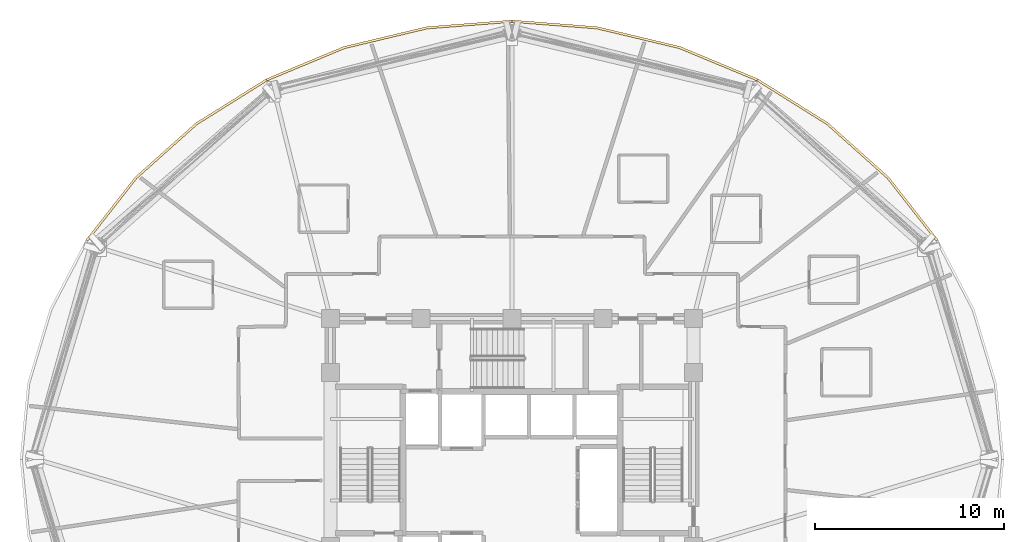
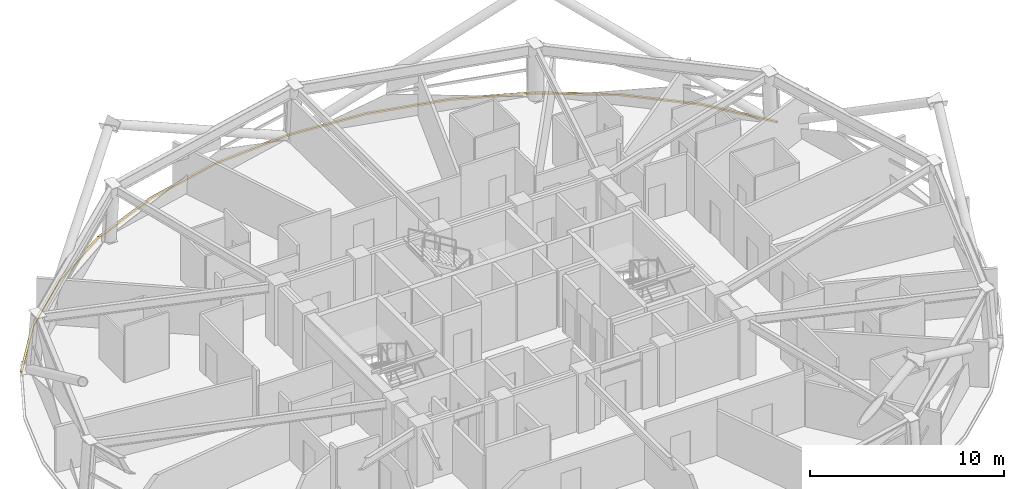
# One storey, part 13 of 13: 4 coverings.
"""IFC4 building model written with IfcOpenShell, lengths in metres."""

from ifc_helpers import new_model, si_unit, direction, frame, origin, place, context, subcontext, project, spatial, polyline, outline, extrude, material, layer, layer_set, type_object, element, save


model = new_model("IFC4")

# Units and contexts
model_context = context("Model", 3, precision=1e-05, world=origin(), true_north=direction((0.0, 1.0)))
body_context = subcontext(model_context, "Body", "Model", "MODEL_VIEW")
ifc_project = project(units=[si_unit("LENGTHUNIT", "METRE"), si_unit("AREAUNIT", "SQUARE_METRE"), si_unit("VOLUMEUNIT", "CUBIC_METRE"), si_unit("PLANEANGLEUNIT", "RADIAN"), si_unit("MASSUNIT", "GRAM", prefix="KILO")], contexts=[model_context])

# Site, building, storey
site_placement = place(None, origin())
site = spatial("IfcSite", under=ifc_project, at=site_placement, CompositionType="ELEMENT")
building_placement = place(site_placement, origin())
building = spatial("IfcBuilding", under=site, at=building_placement, Name="Vantalir Tower", CompositionType="ELEMENT")
storey_placement = place(building_placement, frame((0.0, 0.0, 127.199951171875)))
storey = spatial("IfcBuildingStorey", under=building, at=storey_placement, Name="L31", CompositionType="ELEMENT", Elevation=127.199951171875)

# Coverings
ifc_material = material(Name="Anodised champagne aluminium sill fascia", Category="aluminium")
ifc_layer = layer(ifc_material, 0.125)
ifc_layer_set = layer_set([ifc_layer], Name="Anodised champagne aluminium sill fascia")
covering_type = type_object("IfcCoveringType", Name="COV-SLAB-FASCIA-125", PredefinedType="CLADDING", material=ifc_layer_set)
covering_1_placement = place(storey_placement, frame((0.0, 0.0, -0.179931640625)))
element("IfcCovering", 1, at=covering_1_placement, inside=storey, type_object=covering_type, Name="L31 Perimeter Slab-Edge Sill Fascia 02", PredefinedType="CLADDING", context=body_context, shape_type="SweptSolid", body=[
    extrude(outline(polyline([(54.030029296875, 36.6201171875), (51.428955078125, 39.93896484375), (48.221923828125, 42.803955078125), (44.508056640625, 45.126953125), (44.445068359375, 45.01904296875), (48.14208984375, 42.7080078125), (51.3330078125, 39.85888671875), (53.9208984375, 36.55810546875), (54.030029296875, 36.6201171875)])), origin(), (0.0, 0.0, 1.0), 0.10498046875),
])
covering_2_placement = place(storey_placement, frame((0.0, 0.0, -0.179931640625)))
element("IfcCovering", 2, at=covering_2_placement, inside=storey, type_object=covering_type, Name="L31 Perimeter Slab-Edge Sill Fascia 03", PredefinedType="CLADDING", context=body_context, shape_type="SweptSolid", body=[
    extrude(outline(polyline([(44.508056640625, 45.126953125), (40.39794921875, 46.839111328125), (36.01708984375, 47.887939453125), (31.5, 48.240966796875), (31.5, 48.115966796875), (35.99609375, 47.764892578125), (40.35498046875, 46.721923828125), (44.445068359375, 45.01904296875), (44.508056640625, 45.126953125)])), origin(), (0.0, 0.0, 1.0), 0.10498046875),
])
covering_3_placement = place(storey_placement, frame((0.0, 0.0, -0.179931640625)))
element("IfcCovering", 3, at=covering_3_placement, inside=storey, type_object=covering_type, Name="L31 Perimeter Slab-Edge Sill Fascia 04", PredefinedType="CLADDING", context=body_context, shape_type="SweptSolid", body=[
    extrude(outline(polyline([(31.5, 48.240966796875), (26.98291015625, 47.887939453125), (22.60205078125, 46.839111328125), (18.492919921875, 45.126953125), (18.554931640625, 45.01904296875), (22.64501953125, 46.721923828125), (27.00390625, 47.764892578125), (31.5, 48.115966796875), (31.5, 48.240966796875)])), origin(), (0.0, 0.0, 1.0), 0.10498046875),
])
covering_4_placement = place(storey_placement, frame((0.0, 0.0, -0.179931640625)))
element("IfcCovering", 4, at=covering_4_placement, inside=storey, type_object=covering_type, Name="L31 Perimeter Slab-Edge Sill Fascia 05", PredefinedType="CLADDING", context=body_context, shape_type="SweptSolid", body=[
    extrude(outline(polyline([(18.492919921875, 45.126953125), (14.778076171875, 42.803955078125), (11.571044921875, 39.93896484375), (8.969970703125, 36.6201171875), (9.0791015625, 36.55810546875), (11.6669921875, 39.85888671875), (14.85791015625, 42.7080078125), (18.554931640625, 45.01904296875), (18.492919921875, 45.126953125)])), origin(), (0.0, 0.0, 1.0), 0.10498046875),
])

save(model, "model.ifc")
